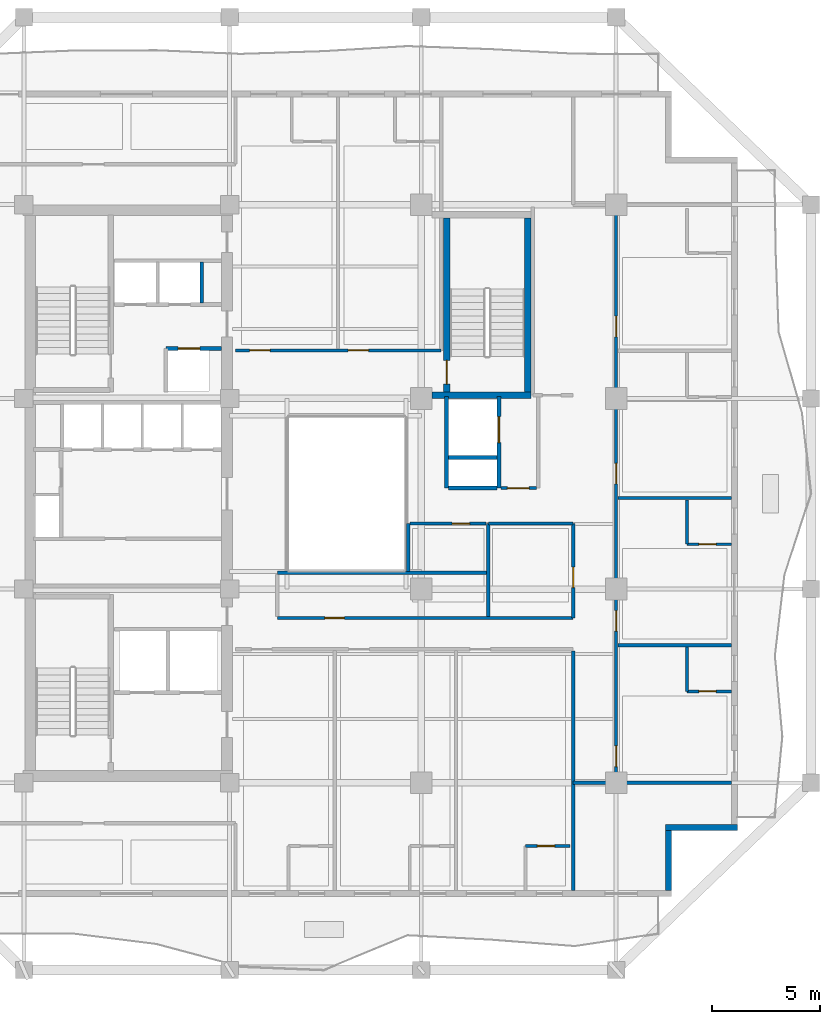
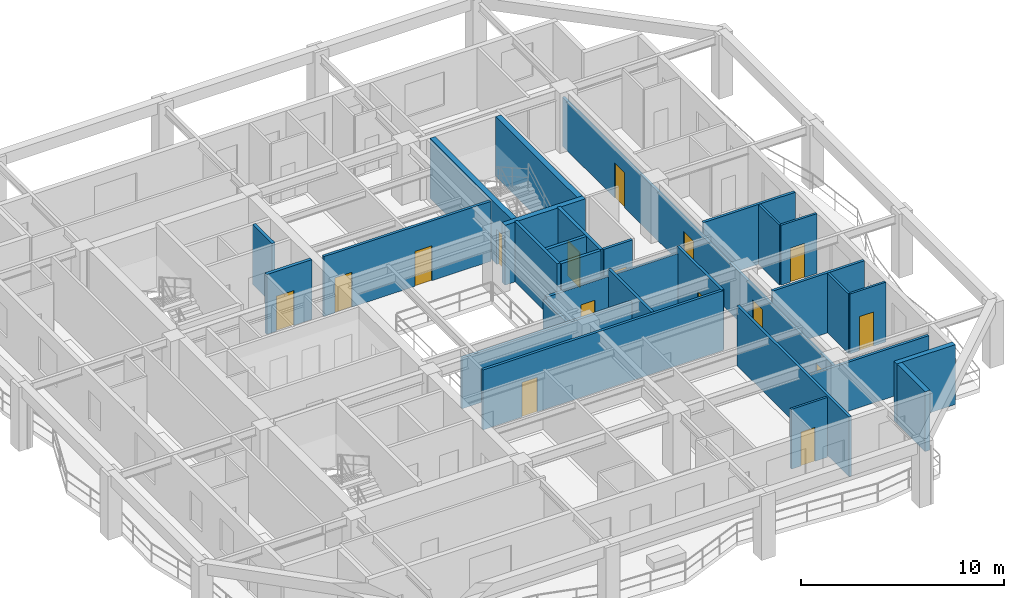
# One storey, part 5 of 11: 30 walls, 16 doors, 16 openings.
"""IFC4 building model written with IfcOpenShell, lengths in metres."""

from ifc_helpers import new_model, si_unit, direction, frame, frame_2d, origin, place, context, subcontext, project, spatial, rectangle, extrude, material, layer, layer_set, type_object, element, fill, save


model = new_model("IFC4")

# Units and contexts
model_context = context("Model", 3, precision=1e-05, world=origin(), true_north=direction((0.0, 1.0)))
body_context = subcontext(model_context, "Body", "Model", "MODEL_VIEW")
ifc_project = project(units=[si_unit("LENGTHUNIT", "METRE"), si_unit("AREAUNIT", "SQUARE_METRE"), si_unit("VOLUMEUNIT", "CUBIC_METRE"), si_unit("PLANEANGLEUNIT", "RADIAN"), si_unit("MASSUNIT", "GRAM", prefix="KILO")], contexts=[model_context])

# Site, building, storey
site_placement = place(None, origin())
site = spatial("IfcSite", under=ifc_project, at=site_placement, CompositionType="ELEMENT")
building_placement = place(site_placement, origin())
building = spatial("IfcBuilding", under=site, at=building_placement, Name="Kundavana Baori Tower", CompositionType="ELEMENT")
storey_placement = place(building_placement, frame((0.0, 0.0, 127.10009765625)))
storey = spatial("IfcBuildingStorey", under=building, at=storey_placement, Name="L30", CompositionType="ELEMENT", Elevation=127.10009765625)

# Walls
ifc_material_1 = material(Name="Red-Buff Dholpur Sandstone Cladding on Concrete C40/50", Category="masonry")
ifc_layer_1 = layer(ifc_material_1, 0.280029296875, Name="WL-EXT-SAND-280")
ifc_layer_set_1 = layer_set([ifc_layer_1], Name="Red-Buff Dholpur Sandstone Cladding on Concrete C40/50")
wall_type_1 = type_object("IfcWallType", Name="WL-EXT-SAND-280", PredefinedType="STANDARD", material=ifc_layer_set_1)
wall_1_placement = place(storey_placement, frame((45.2099609375, 10.280029296875, 0.0), z_axis=(0.0, 0.0, 1.0), x_axis=(0.0, 1.0, 0.0)))
element("IfcWall", 1, at=wall_1_placement, inside=storey, type_object=wall_type_1, Name="L30 Exterior Insulated Facade Wall 02", PredefinedType="STANDARD", context=body_context, shape_type="SweptSolid", body=[
    extrude(rectangle(XDim=2.77001953125, YDim=0.280029296875, at=frame_2d((1.385009765625, 0.0))), origin(), (0.0, 0.0, 1.0), 3.599853515625),
])
wall_2_placement = place(storey_placement, frame((45.070068359375, 13.18994140625, 0.0), z_axis=(0.0, 0.0, 1.0), x_axis=(1.0, 0.0, 0.0)))
element("IfcWall", 2, at=wall_2_placement, inside=storey, type_object=wall_type_1, Name="L30 Exterior Insulated Facade Wall 03", PredefinedType="STANDARD", context=body_context, shape_type="SweptSolid", body=[
    extrude(rectangle(XDim=3.329833984375, YDim=0.280029296875, at=frame_2d((1.6650390625, 0.0))), origin(), (0.0, 0.0, 1.0), 3.599853515625),
])

# Wall, opening, door
ifc_material_2 = material(Name="Fire-Rated Gypsum Drywall on Galvanised Steel Studs", Category="steel")
ifc_layer_2 = layer(ifc_material_2, 0.14990234375, Name="WL-PART-150")
ifc_layer_set_2 = layer_set([ifc_layer_2], Name="Fire-Rated Gypsum Drywall on Galvanised Steel Studs")
wall_type_2 = type_object("IfcWallType", Name="WL-PART-150", PredefinedType="PARTITIONING", material=ifc_layer_set_2)
wall_3_placement = place(storey_placement, frame((37.47998046875, 28.860107421875, 0.0), z_axis=(0.0, 0.0, 1.0), x_axis=(1.0, 0.0, 0.0)))
wall_3 = element("IfcWall", 3, at=wall_3_placement, inside=storey, type_object=wall_type_2, Name="WL-L30-SVLOB-S", PredefinedType="PARTITIONING", context=body_context, shape_type="SweptSolid", body=[
    extrude(rectangle(XDim=1.64013671875, YDim=0.14990234375, at=frame_2d((0.820068359375, 0.0))), origin(), (0.0, 0.0, 1.0), 3.599853515625),
])
opening_1_placement = place(wall_3_placement, frame((0.300048828125, 0.0, 0.0)))
opening_1 = element("IfcOpeningElement", 4, at=opening_1_placement, cuts=wall_3, Name="Opening FD-100", PredefinedType="OPENING", context=body_context, shape_type="SweptSolid", body=[
    extrude(rectangle(XDim=1.0, YDim=2.10009765625, at=frame_2d((0.5, 1.050048828125))), frame((0.0, 0.0849609375, 0.0), z_axis=(0.0, -1.0, 0.0), x_axis=(1.0, 0.0, 0.0)), (0.0, 0.0, 1.0), 0.169921875),
])
ifc_material_3 = material(Name="Engineered Teak Fire-Rated Timber Door Leaf", Category="wood")
door_type_1 = type_object("IfcDoorType", Name="DR-FD60-1000", OperationType="NOTDEFINED", PredefinedType="DOOR", material=ifc_material_3)
door_1_placement = place(opening_1_placement, origin())
door_1 = element("IfcDoor", 5, at=door_1_placement, inside=storey, type_object=door_type_1, Name="DR-L30-SVLOB-OUT", OperationType="SINGLE_SWING_LEFT", OverallHeight=2.10009765625, OverallWidth=1.0, PredefinedType="DOOR", context=body_context, shape_type="SweptSolid", body=[
    extrude(rectangle(XDim=1.0, YDim=2.10009765625, at=frame_2d((0.5, 1.050048828125))), frame((0.0, 0.02490234375, 0.0), z_axis=(0.0, -1.0, 0.0), x_axis=(1.0, 0.0, 0.0)), (0.0, 0.0, 1.0), 0.050048828125),
])
fill(opening_1, door_1)

wall_4_placement = place(storey_placement, frame((27.14990234375, 22.860107421875, 0.0), z_axis=(0.0, 0.0, 1.0), x_axis=(1.0, 0.0, 0.0)))
wall_4 = element("IfcWall", 6, at=wall_4_placement, inside=storey, type_object=wall_type_2, Name="WL-L30-HST", PredefinedType="PARTITIONING", context=body_context, shape_type="SweptSolid", body=[
    extrude(rectangle(XDim=13.670166015625, YDim=0.14990234375, at=frame_2d((6.8349609375, 0.0))), origin(), (0.0, 0.0, 1.0), 3.599853515625),
])
opening_2_placement = place(wall_4_placement, frame((2.199951171875, 0.0, 0.0)))
opening_2 = element("IfcOpeningElement", 7, at=opening_2_placement, cuts=wall_4, Name="Opening ID-090", PredefinedType="OPENING", context=body_context, shape_type="SweptSolid", body=[
    extrude(rectangle(XDim=0.89990234375, YDim=2.080078125, at=frame_2d((0.449951171875, 1.0400390625))), frame((0.0, 0.0849609375, 0.0), z_axis=(0.0, -1.0, 0.0), x_axis=(1.0, 0.0, 0.0)), (0.0, 0.0, 1.0), 0.169921875),
])
ifc_material_4 = material(Name="Engineered Teak Solid-Core Timber Veneer", Category="wood")
door_type_2 = type_object("IfcDoorType", Name="DR-INT-900", OperationType="NOTDEFINED", PredefinedType="DOOR", material=ifc_material_4)
door_2_placement = place(opening_2_placement, origin())
door_2 = element("IfcDoor", 8, at=door_2_placement, inside=storey, type_object=door_type_2, Name="DR-L30-HPNT", OperationType="SINGLE_SWING_LEFT", OverallHeight=2.080078125, OverallWidth=0.89990234375, PredefinedType="DOOR", context=body_context, shape_type="SweptSolid", body=[
    extrude(rectangle(XDim=0.89990234375, YDim=2.080078125, at=frame_2d((0.449951171875, 1.0400390625))), frame((0.0, 0.02490234375, 0.0), z_axis=(0.0, -1.0, 0.0), x_axis=(1.0, 0.0, 0.0)), (0.0, 0.0, 1.0), 0.050048828125),
])
fill(opening_2, door_2)

# Wall, openings, doors
wall_5_placement = place(storey_placement, frame((25.219970703125, 35.219970703125, 0.0), z_axis=(0.0, 0.0, 1.0), x_axis=(1.0, 0.0, 0.0)))
wall_5 = element("IfcWall", 9, at=wall_5_placement, inside=storey, type_object=wall_type_2, Name="WL-L30-HN", PredefinedType="PARTITIONING", context=body_context, shape_type="SweptSolid", body=[
    extrude(rectangle(XDim=9.5, YDim=0.14990234375, at=frame_2d((4.75, 0.0))), origin(), (0.0, 0.0, 1.0), 3.599853515625),
])
opening_3_placement = place(wall_5_placement, frame((0.64990234375, 0.0, 0.0)))
opening_3 = element("IfcOpeningElement", 10, at=opening_3_placement, cuts=wall_5, Name="Opening FD-095", PredefinedType="OPENING", context=body_context, shape_type="SweptSolid", body=[
    extrude(rectangle(XDim=0.949951171875, YDim=2.10009765625, at=frame_2d((0.47509765625, 1.050048828125))), frame((0.0, 0.0849609375, 0.0), z_axis=(0.0, -1.0, 0.0), x_axis=(1.0, 0.0, 0.0)), (0.0, 0.0, 1.0), 0.169921875),
])
opening_4_placement = place(wall_5_placement, frame((5.199951171875, 0.0, 0.0)))
opening_4 = element("IfcOpeningElement", 11, at=opening_4_placement, cuts=wall_5, Name="Opening FD-095", PredefinedType="OPENING", context=body_context, shape_type="SweptSolid", body=[
    extrude(rectangle(XDim=0.949951171875, YDim=2.10009765625, at=frame_2d((0.47509765625, 1.050048828125))), frame((0.0, 0.0849609375, 0.0), z_axis=(0.0, -1.0, 0.0), x_axis=(1.0, 0.0, 0.0)), (0.0, 0.0, 1.0), 0.169921875),
])
ifc_material_5 = material(Name="Engineered Teak Fire-Rated Timber Door Leaf", Category="wood")
door_type_3 = type_object("IfcDoorType", Name="DR-FD60-950", OperationType="NOTDEFINED", PredefinedType="DOOR", material=ifc_material_5)
door_3_placement = place(opening_3_placement, origin())
door_3 = element("IfcDoor", 12, at=door_3_placement, inside=storey, type_object=door_type_3, Name="DR-L30-HK-N1-ENT", OperationType="SINGLE_SWING_LEFT", OverallHeight=2.10009765625, OverallWidth=0.949951171875, PredefinedType="DOOR", context=body_context, shape_type="SweptSolid", body=[
    extrude(rectangle(XDim=0.949951171875, YDim=2.10009765625, at=frame_2d((0.47509765625, 1.050048828125))), frame((0.0, 0.02490234375, 0.0), z_axis=(0.0, -1.0, 0.0), x_axis=(1.0, 0.0, 0.0)), (0.0, 0.0, 1.0), 0.050048828125),
])
fill(opening_3, door_3)
door_4_placement = place(opening_4_placement, origin())
door_4 = element("IfcDoor", 13, at=door_4_placement, inside=storey, type_object=door_type_3, Name="DR-L30-HK-N2-ENT", OperationType="SINGLE_SWING_RIGHT", OverallHeight=2.10009765625, OverallWidth=0.949951171875, PredefinedType="DOOR", context=body_context, shape_type="SweptSolid", body=[
    extrude(rectangle(XDim=0.949951171875, YDim=2.10009765625, at=frame_2d((0.47509765625, 1.050048828125))), frame((0.0, 0.02490234375, 0.0), z_axis=(0.0, -1.0, 0.0), x_axis=(1.0, 0.0, 0.0)), (0.0, 0.0, 1.0), 0.050048828125),
])
fill(opening_4, door_4)

wall_6_placement = place(storey_placement, frame((42.800048828125, 15.25, 0.0), z_axis=(0.0, 0.0, 1.0), x_axis=(0.0, 1.0, 0.0)))
wall_6 = element("IfcWall", 14, at=wall_6_placement, inside=storey, type_object=wall_type_2, Name="WL-L30-HE", PredefinedType="PARTITIONING", context=body_context, shape_type="SweptSolid", body=[
    extrude(rectangle(XDim=26.699951171875, YDim=0.14990234375, at=frame_2d((13.35009765625, 0.0))), origin(), (0.0, 0.0, 1.0), 2.949951171875),
])
opening_5_placement = place(wall_6_placement, frame((0.75, 0.0, 0.0)))
opening_5 = element("IfcOpeningElement", 15, at=opening_5_placement, cuts=wall_6, Name="Opening FD-095", PredefinedType="OPENING", context=body_context, shape_type="SweptSolid", body=[
    extrude(rectangle(XDim=0.949951171875, YDim=2.10009765625, at=frame_2d((0.47509765625, 1.050048828125))), frame((0.0, 0.0849609375, 0.0), z_axis=(0.0, -1.0, 0.0), x_axis=(1.0, 0.0, 0.0)), (0.0, 0.0, 1.0), 0.169921875),
])
opening_6_placement = place(wall_6_placement, frame((7.0, 0.0, 0.0)))
opening_6 = element("IfcOpeningElement", 16, at=opening_6_placement, cuts=wall_6, Name="Opening FD-095", PredefinedType="OPENING", context=body_context, shape_type="SweptSolid", body=[
    extrude(rectangle(XDim=0.949951171875, YDim=2.10009765625, at=frame_2d((0.47509765625, 1.050048828125))), frame((0.0, 0.0849609375, 0.0), z_axis=(0.0, -1.0, 0.0), x_axis=(1.0, 0.0, 0.0)), (0.0, 0.0, 1.0), 0.169921875),
])
opening_7_placement = place(wall_6_placement, frame((13.800048828125, 0.0, 0.0)))
opening_7 = element("IfcOpeningElement", 17, at=opening_7_placement, cuts=wall_6, Name="Opening FD-095", PredefinedType="OPENING", context=body_context, shape_type="SweptSolid", body=[
    extrude(rectangle(XDim=0.949951171875, YDim=2.10009765625, at=frame_2d((0.47509765625, 1.050048828125))), frame((0.0, 0.0849609375, 0.0), z_axis=(0.0, -1.0, 0.0), x_axis=(1.0, 0.0, 0.0)), (0.0, 0.0, 1.0), 0.169921875),
])
opening_8_placement = place(wall_6_placement, frame((20.60009765625, 0.0, 0.0)))
opening_8 = element("IfcOpeningElement", 18, at=opening_8_placement, cuts=wall_6, Name="Opening FD-095", PredefinedType="OPENING", context=body_context, shape_type="SweptSolid", body=[
    extrude(rectangle(XDim=0.949951171875, YDim=2.10009765625, at=frame_2d((0.47509765625, 1.050048828125))), frame((0.0, 0.0849609375, 0.0), z_axis=(0.0, -1.0, 0.0), x_axis=(1.0, 0.0, 0.0)), (0.0, 0.0, 1.0), 0.169921875),
])
door_5_placement = place(opening_5_placement, origin())
door_5 = element("IfcDoor", 19, at=door_5_placement, inside=storey, type_object=door_type_3, Name="DR-L30-HK-E1-ENT", OperationType="SINGLE_SWING_LEFT", OverallHeight=2.10009765625, OverallWidth=0.949951171875, PredefinedType="DOOR", context=body_context, shape_type="SweptSolid", body=[
    extrude(rectangle(XDim=0.949951171875, YDim=2.10009765625, at=frame_2d((0.47509765625, 1.050048828125))), frame((0.0, 0.02490234375, 0.0), z_axis=(0.0, -1.0, 0.0), x_axis=(1.0, 0.0, 0.0)), (0.0, 0.0, 1.0), 0.050048828125),
])
fill(opening_5, door_5)
door_6_placement = place(opening_6_placement, origin())
door_6 = element("IfcDoor", 20, at=door_6_placement, inside=storey, type_object=door_type_3, Name="DR-L30-HK-E2-ENT", OperationType="SINGLE_SWING_LEFT", OverallHeight=2.10009765625, OverallWidth=0.949951171875, PredefinedType="DOOR", context=body_context, shape_type="SweptSolid", body=[
    extrude(rectangle(XDim=0.949951171875, YDim=2.10009765625, at=frame_2d((0.47509765625, 1.050048828125))), frame((0.0, 0.02490234375, 0.0), z_axis=(0.0, -1.0, 0.0), x_axis=(1.0, 0.0, 0.0)), (0.0, 0.0, 1.0), 0.050048828125),
])
fill(opening_6, door_6)
door_7_placement = place(opening_7_placement, origin())
door_7 = element("IfcDoor", 21, at=door_7_placement, inside=storey, type_object=door_type_3, Name="DR-L30-HK-E3-ENT", OperationType="SINGLE_SWING_LEFT", OverallHeight=2.10009765625, OverallWidth=0.949951171875, PredefinedType="DOOR", context=body_context, shape_type="SweptSolid", body=[
    extrude(rectangle(XDim=0.949951171875, YDim=2.10009765625, at=frame_2d((0.47509765625, 1.050048828125))), frame((0.0, 0.02490234375, 0.0), z_axis=(0.0, -1.0, 0.0), x_axis=(1.0, 0.0, 0.0)), (0.0, 0.0, 1.0), 0.050048828125),
])
fill(opening_7, door_7)
door_8_placement = place(opening_8_placement, origin())
door_8 = element("IfcDoor", 22, at=door_8_placement, inside=storey, type_object=door_type_3, Name="DR-L30-HK-E4-ENT", OperationType="SINGLE_SWING_LEFT", OverallHeight=2.10009765625, OverallWidth=0.949951171875, PredefinedType="DOOR", context=body_context, shape_type="SweptSolid", body=[
    extrude(rectangle(XDim=0.949951171875, YDim=2.10009765625, at=frame_2d((0.47509765625, 1.050048828125))), frame((0.0, 0.02490234375, 0.0), z_axis=(0.0, -1.0, 0.0), x_axis=(1.0, 0.0, 0.0)), (0.0, 0.0, 1.0), 0.050048828125),
])
fill(opening_8, door_8)

# Wall
wall_7_placement = place(storey_placement, frame((40.820068359375, 15.25, 0.0), z_axis=(0.0, 0.0, 1.0), x_axis=(1.0, 0.0, 0.0)))
element("IfcWall", 23, at=wall_7_placement, inside=storey, type_object=wall_type_2, Name="WL-L30-HES", PredefinedType="PARTITIONING", context=body_context, shape_type="SweptSolid", body=[
    extrude(rectangle(XDim=7.300048828125, YDim=0.14990234375, at=frame_2d((3.64990234375, 0.0))), origin(), (0.0, 0.0, 1.0), 2.949951171875),
])

# Wall, opening, door
wall_8_placement = place(storey_placement, frame((40.820068359375, 22.860107421875, 0.0), z_axis=(0.0, 0.0, 1.0), x_axis=(0.0, 1.0, 0.0)))
wall_8 = element("IfcWall", 24, at=wall_8_placement, inside=storey, type_object=wall_type_2, Name="WL-L30-HEW", PredefinedType="PARTITIONING", context=body_context, shape_type="SweptSolid", body=[
    extrude(rectangle(XDim=4.35986328125, YDim=0.14990234375, at=frame_2d((2.179931640625, 0.0))), origin(), (0.0, 0.0, 1.0), 3.599853515625),
])
opening_9_placement = place(wall_8_placement, frame((1.39990234375, 0.0, 0.0)))
opening_9 = element("IfcOpeningElement", 25, at=opening_9_placement, cuts=wall_8, Name="Opening FD-095", PredefinedType="OPENING", context=body_context, shape_type="SweptSolid", body=[
    extrude(rectangle(XDim=0.949951171875, YDim=2.10009765625, at=frame_2d((0.47509765625, 1.050048828125))), frame((0.0, 0.0849609375, 0.0), z_axis=(0.0, -1.0, 0.0), x_axis=(1.0, 0.0, 0.0)), (0.0, 0.0, 1.0), 0.169921875),
])
door_9_placement = place(opening_9_placement, frame((0.949951171875, 0.0, 0.0), z_axis=(0.0, 0.0, 1.0), x_axis=(-1.0, 0.0, 0.0)))
door_9 = element("IfcDoor", 26, at=door_9_placement, inside=storey, type_object=door_type_3, Name="DR-L30-HSK", OperationType="SINGLE_SWING_RIGHT", OverallHeight=2.10009765625, OverallWidth=0.949951171875, PredefinedType="DOOR", context=body_context, shape_type="SweptSolid", body=[
    extrude(rectangle(XDim=0.949951171875, YDim=2.10009765625, at=frame_2d((0.47509765625, 1.050048828125))), frame((0.0, 0.02490234375, 0.0), z_axis=(0.0, -1.0, 0.0), x_axis=(1.0, 0.0, 0.0)), (0.0, 0.0, 1.0), 0.050048828125),
])
fill(opening_9, door_9)

# Walls
wall_9_placement = place(storey_placement, frame((36.89990234375, 27.219970703125, 0.0), z_axis=(0.0, 0.0, 1.0), x_axis=(1.0, 0.0, 0.0)))
element("IfcWall", 27, at=wall_9_placement, inside=storey, type_object=wall_type_2, Name="WL-L30-HKN", PredefinedType="PARTITIONING", context=body_context, shape_type="SweptSolid", body=[
    extrude(rectangle(XDim=3.920166015625, YDim=0.14990234375, at=frame_2d((1.9599609375, 0.0))), origin(), (0.0, 0.0, 1.0), 3.199951171875),
])
wall_10_placement = place(storey_placement, frame((36.89990234375, 22.93994140625, 0.0), z_axis=(0.0, 0.0, 1.0), x_axis=(0.0, 1.0, 0.0)))
element("IfcWall", 28, at=wall_10_placement, inside=storey, type_object=wall_type_2, Name="WL-L30-HKD", PredefinedType="PARTITIONING", context=body_context, shape_type="SweptSolid", body=[
    extrude(rectangle(XDim=4.280029296875, YDim=0.14990234375, at=frame_2d((2.14013671875, 0.0))), origin(), (0.0, 0.0, 1.0), 3.599853515625),
])
wall_11_placement = place(storey_placement, frame((27.14990234375, 24.949951171875, 0.0), z_axis=(0.0, 0.0, 1.0), x_axis=(1.0, 0.0, 0.0)))
element("IfcWall", 29, at=wall_11_placement, inside=storey, type_object=wall_type_2, Name="WL-L30-HPN1", PredefinedType="PARTITIONING", context=body_context, shape_type="SweptSolid", body=[
    extrude(rectangle(XDim=9.670166015625, YDim=0.14990234375, at=frame_2d((4.8349609375, 0.0))), origin(), (0.0, 0.0, 1.0), 3.0498046875),
])
wall_12_placement = place(storey_placement, frame((33.199951171875, 25.02001953125, 0.0), z_axis=(0.0, 0.0, 1.0), x_axis=(0.0, 1.0, 0.0)))
element("IfcWall", 30, at=wall_12_placement, inside=storey, type_object=wall_type_2, Name="WL-L30-HASW", PredefinedType="PARTITIONING", context=body_context, shape_type="SweptSolid", body=[
    extrude(rectangle(XDim=2.199951171875, YDim=0.14990234375, at=frame_2d((1.10009765625, 0.0))), origin(), (0.0, 0.0, 1.0), 3.0498046875),
])

# Wall, opening, door
wall_13_placement = place(storey_placement, frame((33.280029296875, 27.219970703125, 0.0), z_axis=(0.0, 0.0, 1.0), x_axis=(1.0, 0.0, 0.0)))
wall_13 = element("IfcWall", 31, at=wall_13_placement, inside=storey, type_object=wall_type_2, Name="WL-L30-HASN", PredefinedType="PARTITIONING", context=body_context, shape_type="SweptSolid", body=[
    extrude(rectangle(XDim=3.52001953125, YDim=0.14990234375, at=frame_2d((1.760009765625, 0.0))), origin(), (0.0, 0.0, 1.0), 3.199951171875),
])
opening_10_placement = place(wall_13_placement, frame((1.949951171875, 0.0, 0.0)))
opening_10 = element("IfcOpeningElement", 32, at=opening_10_placement, cuts=wall_13, Name="Opening WD-080", PredefinedType="OPENING", context=body_context, shape_type="SweptSolid", body=[
    extrude(rectangle(XDim=0.800048828125, YDim=2.050048828125, at=frame_2d((0.39990234375, 1.02490234375))), frame((0.0, 0.0849609375, 0.0), z_axis=(0.0, -1.0, 0.0), x_axis=(1.0, 0.0, 0.0)), (0.0, 0.0, 1.0), 0.169921875),
])
ifc_material_6 = material(Name="Engineered Teak Solid-Core Timber Veneer", Category="wood")
door_type_4 = type_object("IfcDoorType", Name="DR-WET-800", OperationType="NOTDEFINED", PredefinedType="DOOR", material=ifc_material_6)
door_10_placement = place(opening_10_placement, frame((0.800048828125, 0.0, 0.0), z_axis=(0.0, 0.0, 1.0), x_axis=(-1.0, 0.0, 0.0)))
door_10 = element("IfcDoor", 33, at=door_10_placement, inside=storey, type_object=door_type_4, Name="DR-L30-HLAS", OperationType="SINGLE_SWING_LEFT", OverallHeight=2.050048828125, OverallWidth=0.800048828125, PredefinedType="DOOR", context=body_context, shape_type="SweptSolid", body=[
    extrude(rectangle(XDim=0.800048828125, YDim=2.050048828125, at=frame_2d((0.39990234375, 1.02490234375))), frame((0.0, 0.02490234375, 0.0), z_axis=(0.0, -1.0, 0.0), x_axis=(1.0, 0.0, 0.0)), (0.0, 0.0, 1.0), 0.050048828125),
])
fill(opening_10, door_10)

# Walls
wall_14_placement = place(storey_placement, frame((40.820068359375, 10.280029296875, 0.0), z_axis=(0.0, 0.0, 1.0), x_axis=(0.0, 1.0, 0.0)))
element("IfcWall", 34, at=wall_14_placement, inside=storey, type_object=wall_type_2, Name="WL-L30-HSEND", PredefinedType="PARTITIONING", context=body_context, shape_type="SweptSolid", body=[
    extrude(rectangle(XDim=11.06005859375, YDim=0.14990234375, at=frame_2d((5.530029296875, 0.0))), origin(), (0.0, 0.0, 1.0), 3.599853515625),
])
for number, where, z_axis, x_axis, name in (
    (35, (42.8798828125, 21.60009765625, 0.0), (0.0, 0.0, 1.0), (1.0, 0.0, 0.0), "WL-L30-HED1"),
    (36, (42.8798828125, 28.39990234375, 0.0), (0.0, 0.0, 1.0), (1.0, 0.0, 0.0), "WL-L30-HED2"),
):
    element("IfcWall", number, at=place(storey_placement, frame(where, z_axis=z_axis, x_axis=x_axis)), inside=storey, type_object=wall_type_2, Name=name, PredefinedType="PARTITIONING", context=body_context, shape_type="SweptSolid", body=[
        extrude(rectangle(XDim=5.240234375, YDim=0.14990234375, at=frame_2d((2.6201171875, 0.0))), origin(), (0.0, 0.0, 1.0), 3.599853515625),
    ])

# Wall, opening, door
ifc_material_7 = material(Name="Autoclaved Aerated Concrete Blockwork Masonry", Category="masonry")
ifc_layer_3 = layer(ifc_material_7, 0.179931640625, Name="WL-SHAFT-180")
ifc_layer_set_3 = layer_set([ifc_layer_3], Name="Autoclaved Aerated Concrete Blockwork Masonry")
wall_type_3 = type_object("IfcWallType", Name="WL-SHAFT-180", PredefinedType="SOLIDWALL", material=ifc_layer_set_3)
wall_15_placement = place(storey_placement, frame((22.02001953125, 35.31005859375, 0.0), z_axis=(0.0, 0.0, 1.0), x_axis=(1.0, 0.0, 0.0)))
wall_15 = element("IfcWall", 37, at=wall_15_placement, inside=storey, type_object=wall_type_3, Name="WL-L30-LP11-N", PredefinedType="SOLIDWALL", context=body_context, shape_type="SweptSolid", body=[
    extrude(rectangle(XDim=2.56005859375, YDim=0.179931640625, at=frame_2d((1.280029296875, 0.0))), origin(), (0.0, 0.0, 1.0), 3.599853515625),
])
opening_11_placement = place(wall_15_placement, frame((0.550048828125, 0.0, 0.0)))
opening_11 = element("IfcOpeningElement", 38, at=opening_11_placement, cuts=wall_15, Name="Opening LD-100", PredefinedType="OPENING", context=body_context, shape_type="SweptSolid", body=[
    extrude(rectangle(XDim=1.0, YDim=2.10009765625, at=frame_2d((0.5, 1.050048828125))), frame((0.0, 0.10009765625, 0.0), z_axis=(0.0, -1.0, 0.0), x_axis=(1.0, 0.0, 0.0)), (0.0, 0.0, 1.0), 0.199951171875),
])
ifc_material_8 = material(Name="Galvanised Steel Fire-Rated Door Leaf", Category="steel")
door_type_5 = type_object("IfcDoorType", Name="DR-SLIDE-LD1000", OperationType="NOTDEFINED", PredefinedType="DOOR", material=ifc_material_8)
door_11_placement = place(opening_11_placement, origin())
door_11 = element("IfcDoor", 39, at=door_11_placement, inside=storey, type_object=door_type_5, Name="DR-L30-LD-LP11", OperationType="DOUBLE_DOOR_SLIDING", OverallHeight=2.10009765625, OverallWidth=1.0, PredefinedType="DOOR", context=body_context, shape_type="SweptSolid", body=[
    extrude(rectangle(XDim=1.0, YDim=2.10009765625, at=frame_2d((0.5, 1.050048828125))), frame((0.0, 0.02490234375, 0.0), z_axis=(0.0, -1.0, 0.0), x_axis=(1.0, 0.0, 0.0)), (0.0, 0.0, 1.0), 0.050048828125),
])
fill(opening_11, door_11)

# Walls
wall_16_placement = place(storey_placement, frame((23.659912109375, 37.39990234375, 0.0), z_axis=(0.0, 0.0, 1.0), x_axis=(0.0, 1.0, 0.0)))
element("IfcWall", 40, at=wall_16_placement, inside=storey, type_object=wall_type_3, Name="WL-L30-HR-DIV2", PredefinedType="SOLIDWALL", context=body_context, shape_type="SweptSolid", body=[
    extrude(rectangle(XDim=1.900146484375, YDim=0.179931640625, at=frame_2d((0.9501953125, 0.0))), origin(), (0.0, 0.0, 1.0), 3.599853515625),
])
wall_17_placement = place(storey_placement, frame((34.9599609375, 28.860107421875, 0.0), z_axis=(0.0, 0.0, 1.0), x_axis=(0.0, 1.0, 0.0)))
element("IfcWall", 41, at=wall_17_placement, inside=storey, type_object=wall_type_3, Name="WL-L30-SVL-W", PredefinedType="SOLIDWALL", context=body_context, shape_type="SweptSolid", body=[
    extrude(rectangle(XDim=4.219970703125, YDim=0.179931640625, at=frame_2d((2.10986328125, 0.0))), origin(), (0.0, 0.0, 1.0), 3.599853515625),
])

# Wall, opening, door
wall_18_placement = place(storey_placement, frame((37.389892578125, 28.860107421875, 0.0), z_axis=(0.0, 0.0, 1.0), x_axis=(0.0, 1.0, 0.0)))
wall_18 = element("IfcWall", 42, at=wall_18_placement, inside=storey, type_object=wall_type_3, Name="WL-L30-SVL-E", PredefinedType="SOLIDWALL", context=body_context, shape_type="SweptSolid", body=[
    extrude(rectangle(XDim=4.219970703125, YDim=0.179931640625, at=frame_2d((2.10986328125, 0.0))), origin(), (0.0, 0.0, 1.0), 3.599853515625),
])
opening_12_placement = place(wall_18_placement, frame((2.10009765625, 0.0, 0.0)))
opening_12 = element("IfcOpeningElement", 43, at=opening_12_placement, cuts=wall_18, Name="Opening LD-120", PredefinedType="OPENING", context=body_context, shape_type="SweptSolid", body=[
    extrude(rectangle(XDim=1.199951171875, YDim=2.1201171875, at=frame_2d((0.60009765625, 1.06005859375))), frame((0.0, 0.10009765625, 0.0), z_axis=(0.0, -1.0, 0.0), x_axis=(1.0, 0.0, 0.0)), (0.0, 0.0, 1.0), 0.199951171875),
])
ifc_material_9 = material(Name="Galvanised Steel Fire-Rated Door Leaf", Category="steel")
door_type_6 = type_object("IfcDoorType", Name="DR-SLIDE-LD1200", OperationType="NOTDEFINED", PredefinedType="DOOR", material=ifc_material_9)
door_12_placement = place(opening_12_placement, frame((1.199951171875, 0.0, 0.0), z_axis=(0.0, 0.0, 1.0), x_axis=(-1.0, 0.0, 0.0)))
door_12 = element("IfcDoor", 44, at=door_12_placement, inside=storey, type_object=door_type_6, Name="DR-L30-LD-SVL1", OperationType="DOUBLE_DOOR_SLIDING", OverallHeight=2.1201171875, OverallWidth=1.199951171875, PredefinedType="DOOR", context=body_context, shape_type="SweptSolid", body=[
    extrude(rectangle(XDim=1.199951171875, YDim=2.1201171875, at=frame_2d((0.60009765625, 1.06005859375))), frame((0.0, 0.02490234375, 0.0), z_axis=(0.0, -1.0, 0.0), x_axis=(1.0, 0.0, 0.0)), (0.0, 0.0, 1.0), 0.050048828125),
])
fill(opening_12, door_12)

# Walls
for number, where, z_axis, x_axis, name in (
    (45, (35.050048828125, 28.860107421875, 0.0), (0.0, 0.0, 1.0), (1.0, 0.0, 0.0), "WL-L30-SVL-S"),
    (46, (35.050048828125, 30.27001953125, 0.0), (0.0, 0.0, 1.0), (1.0, 0.0, 0.0), "WL-L30-SVL-M"),
):
    element("IfcWall", number, at=place(storey_placement, frame(where, z_axis=z_axis, x_axis=x_axis)), inside=storey, type_object=wall_type_3, Name=name, PredefinedType="SOLIDWALL", context=body_context, shape_type="SweptSolid", body=[
        extrude(rectangle(XDim=2.25, YDim=0.179931640625, at=frame_2d((1.125, 0.0))), origin(), (0.0, 0.0, 1.0), 3.599853515625),
    ])
ifc_material_10 = material(Name="Concrete C50/60", Category="concrete")
ifc_layer_4 = layer(ifc_material_10, 0.300048828125, Name="WL-ST3-300")
ifc_layer_set_4 = layer_set([ifc_layer_4], Name="Concrete C50/60")
wall_type_4 = type_object("IfcWallType", Name="WL-ST3-300", PredefinedType="SHEAR", material=ifc_layer_set_4)
wall_19_placement = place(storey_placement, frame((34.300048828125, 33.159912109375, 0.0), z_axis=(0.0, 0.0, 1.0), x_axis=(1.0, 0.0, 0.0)))
element("IfcWall", 47, at=wall_19_placement, inside=storey, type_object=wall_type_4, Name="L30 Stair ST3 South Shear Wall", PredefinedType="SHEAR", context=body_context, shape_type="SweptSolid", body=[
    extrude(rectangle(XDim=4.570068359375, YDim=0.300048828125, at=frame_2d((2.28515625, 0.0))), origin(), (0.0, 0.0, 1.0), 3.599853515625),
])

# Wall, opening, door
wall_20_placement = place(storey_placement, frame((34.97998046875, 33.31005859375, 0.0), z_axis=(0.0, 0.0, 1.0), x_axis=(0.0, 1.0, 0.0)))
wall_20 = element("IfcWall", 48, at=wall_20_placement, inside=storey, type_object=wall_type_4, Name="L30 Stair ST3 West Shear Wall", PredefinedType="SHEAR", context=body_context, shape_type="SweptSolid", body=[
    extrude(rectangle(XDim=8.030029296875, YDim=0.300048828125, at=frame_2d((4.01513671875, 0.0))), origin(), (0.0, 0.0, 1.0), 3.599853515625),
])
opening_13_placement = place(wall_20_placement, frame((0.35009765625, 0.0, 0.0)))
opening_13 = element("IfcOpeningElement", 49, at=opening_13_placement, cuts=wall_20, Name="Opening FD-110", PredefinedType="OPENING", context=body_context, shape_type="SweptSolid", body=[
    extrude(rectangle(XDim=1.10009765625, YDim=2.10009765625, at=frame_2d((0.550048828125, 1.050048828125))), frame((0.0, 0.16015625, 0.0), z_axis=(0.0, -1.0, 0.0), x_axis=(1.0, 0.0, 0.0)), (0.0, 0.0, 1.0), 0.320068359375),
])
ifc_material_11 = material(Name="Galvanised Steel Fire-Rated Door Leaf", Category="steel")
door_type_7 = type_object("IfcDoorType", Name="DR-FD120-1100", OperationType="NOTDEFINED", PredefinedType="DOOR", material=ifc_material_11)
door_13_placement = place(opening_13_placement, origin())
door_13 = element("IfcDoor", 50, at=door_13_placement, inside=storey, type_object=door_type_7, Name="DR-L30-ST3-W", OperationType="SINGLE_SWING_LEFT", OverallHeight=2.10009765625, OverallWidth=1.10009765625, PredefinedType="DOOR", context=body_context, shape_type="SweptSolid", body=[
    extrude(rectangle(XDim=1.10009765625, YDim=2.10009765625, at=frame_2d((0.550048828125, 1.050048828125))), frame((0.0, 0.02490234375, 0.0), z_axis=(0.0, -1.0, 0.0), x_axis=(1.0, 0.0, 0.0)), (0.0, 0.0, 1.0), 0.050048828125),
])
fill(opening_13, door_13)

# Wall
wall_21_placement = place(storey_placement, frame((38.719970703125, 33.31005859375, 0.0), z_axis=(0.0, 0.0, 1.0), x_axis=(0.0, 1.0, 0.0)))
element("IfcWall", 51, at=wall_21_placement, inside=storey, type_object=wall_type_4, Name="L30 Stair ST3 East Shear Wall", PredefinedType="SHEAR", context=body_context, shape_type="SweptSolid", body=[
    extrude(rectangle(XDim=8.030029296875, YDim=0.300048828125, at=frame_2d((4.01513671875, 0.0))), origin(), (0.0, 0.0, 1.0), 3.599853515625),
])

# Wall, opening, door
ifc_material_12 = material(Name="Autoclaved Aerated Concrete Blockwork Masonry", Category="masonry")
ifc_layer_5 = layer(ifc_material_12, 0.125, Name="WL-WET-120")
ifc_layer_set_5 = layer_set([ifc_layer_5], Name="Autoclaved Aerated Concrete Blockwork Masonry")
wall_type_5 = type_object("IfcWallType", Name="WL-WET-120", PredefinedType="PLUMBINGWALL", material=ifc_layer_set_5)
wall_22_placement = place(storey_placement, frame((38.610107421875, 12.330078125, 0.0), z_axis=(0.0, 0.0, 1.0), x_axis=(1.0, 0.0, 0.0)))
wall_22 = element("IfcWall", 52, at=wall_22_placement, inside=storey, type_object=wall_type_5, Name="WL-L30-HK-S3-BN", PredefinedType="PLUMBINGWALL", context=body_context, shape_type="SweptSolid", body=[
    extrude(rectangle(XDim=2.0498046875, YDim=0.125, at=frame_2d((1.02490234375, 0.0))), origin(), (0.0, 0.0, 1.0), 3.599853515625),
])
opening_14_placement = place(wall_22_placement, frame((0.550048828125, 0.0, 0.0)))
opening_14 = element("IfcOpeningElement", 53, at=opening_14_placement, cuts=wall_22, Name="Opening WD-080", PredefinedType="OPENING", context=body_context, shape_type="SweptSolid", body=[
    extrude(rectangle(XDim=0.800048828125, YDim=2.050048828125, at=frame_2d((0.39990234375, 1.02490234375))), frame((0.0, 0.072509765625, 0.0), z_axis=(0.0, -1.0, 0.0), x_axis=(1.0, 0.0, 0.0)), (0.0, 0.0, 1.0), 0.14501953125),
])
door_14_placement = place(opening_14_placement, origin())
door_14 = element("IfcDoor", 54, at=door_14_placement, inside=storey, type_object=door_type_4, Name="DR-L30-HK-S3-ENS", OperationType="SINGLE_SWING_LEFT", OverallHeight=2.050048828125, OverallWidth=0.800048828125, PredefinedType="DOOR", context=body_context, shape_type="SweptSolid", body=[
    extrude(rectangle(XDim=0.800048828125, YDim=2.050048828125, at=frame_2d((0.39990234375, 1.02490234375))), frame((0.0, 0.02490234375, 0.0), z_axis=(0.0, -1.0, 0.0), x_axis=(1.0, 0.0, 0.0)), (0.0, 0.0, 1.0), 0.050048828125),
])
fill(opening_14, door_14)

# Wall
wall_23_placement = place(storey_placement, frame((46.070068359375, 19.469970703125, 0.0), z_axis=(0.0, 0.0, 1.0), x_axis=(0.0, 1.0, 0.0)))
element("IfcWall", 55, at=wall_23_placement, inside=storey, type_object=wall_type_5, Name="WL-L30-HK-E1-BW", PredefinedType="PLUMBINGWALL", context=body_context, shape_type="SweptSolid", body=[
    extrude(rectangle(XDim=2.050048828125, YDim=0.125, at=frame_2d((1.02490234375, 0.0))), origin(), (0.0, 0.0, 1.0), 3.599853515625),
])

# Wall, opening, door
wall_24_placement = place(storey_placement, frame((46.070068359375, 19.469970703125, 0.0), z_axis=(0.0, 0.0, 1.0), x_axis=(1.0, 0.0, 0.0)))
wall_24 = element("IfcWall", 56, at=wall_24_placement, inside=storey, type_object=wall_type_5, Name="WL-L30-HK-E1-BS", PredefinedType="PLUMBINGWALL", context=body_context, shape_type="SweptSolid", body=[
    extrude(rectangle(XDim=2.050048828125, YDim=0.125, at=frame_2d((1.02490234375, 0.0))), origin(), (0.0, 0.0, 1.0), 3.599853515625),
])
opening_15_placement = place(wall_24_placement, frame((0.550048828125, 0.0, 0.0)))
opening_15 = element("IfcOpeningElement", 57, at=opening_15_placement, cuts=wall_24, Name="Opening WD-080", PredefinedType="OPENING", context=body_context, shape_type="SweptSolid", body=[
    extrude(rectangle(XDim=0.800048828125, YDim=2.050048828125, at=frame_2d((0.39990234375, 1.02490234375))), frame((0.0, 0.072509765625, 0.0), z_axis=(0.0, -1.0, 0.0), x_axis=(1.0, 0.0, 0.0)), (0.0, 0.0, 1.0), 0.14501953125),
])
door_15_placement = place(opening_15_placement, frame((0.800048828125, 0.0, 0.0), z_axis=(0.0, 0.0, 1.0), x_axis=(-1.0, 0.0, 0.0)))
door_15 = element("IfcDoor", 58, at=door_15_placement, inside=storey, type_object=door_type_4, Name="DR-L30-HK-E1-ENS", OperationType="SINGLE_SWING_LEFT", OverallHeight=2.050048828125, OverallWidth=0.800048828125, PredefinedType="DOOR", context=body_context, shape_type="SweptSolid", body=[
    extrude(rectangle(XDim=0.800048828125, YDim=2.050048828125, at=frame_2d((0.39990234375, 1.02490234375))), frame((0.0, 0.02490234375, 0.0), z_axis=(0.0, -1.0, 0.0), x_axis=(1.0, 0.0, 0.0)), (0.0, 0.0, 1.0), 0.050048828125),
])
fill(opening_15, door_15)

# Wall
wall_25_placement = place(storey_placement, frame((46.070068359375, 26.27001953125, 0.0), z_axis=(0.0, 0.0, 1.0), x_axis=(0.0, 1.0, 0.0)))
element("IfcWall", 59, at=wall_25_placement, inside=storey, type_object=wall_type_5, Name="WL-L30-HK-E2-BW", PredefinedType="PLUMBINGWALL", context=body_context, shape_type="SweptSolid", body=[
    extrude(rectangle(XDim=2.050048828125, YDim=0.125, at=frame_2d((1.02490234375, 0.0))), origin(), (0.0, 0.0, 1.0), 3.599853515625),
])

# Wall, opening, door
wall_26_placement = place(storey_placement, frame((46.070068359375, 26.27001953125, 0.0), z_axis=(0.0, 0.0, 1.0), x_axis=(1.0, 0.0, 0.0)))
wall_26 = element("IfcWall", 60, at=wall_26_placement, inside=storey, type_object=wall_type_5, Name="WL-L30-HK-E2-BS", PredefinedType="PLUMBINGWALL", context=body_context, shape_type="SweptSolid", body=[
    extrude(rectangle(XDim=2.050048828125, YDim=0.125, at=frame_2d((1.02490234375, 0.0))), origin(), (0.0, 0.0, 1.0), 3.599853515625),
])
opening_16_placement = place(wall_26_placement, frame((0.550048828125, 0.0, 0.0)))
opening_16 = element("IfcOpeningElement", 61, at=opening_16_placement, cuts=wall_26, Name="Opening WD-080", PredefinedType="OPENING", context=body_context, shape_type="SweptSolid", body=[
    extrude(rectangle(XDim=0.800048828125, YDim=2.050048828125, at=frame_2d((0.39990234375, 1.02490234375))), frame((0.0, 0.072509765625, 0.0), z_axis=(0.0, -1.0, 0.0), x_axis=(1.0, 0.0, 0.0)), (0.0, 0.0, 1.0), 0.14501953125),
])
door_16_placement = place(opening_16_placement, frame((0.800048828125, 0.0, 0.0), z_axis=(0.0, 0.0, 1.0), x_axis=(-1.0, 0.0, 0.0)))
door_16 = element("IfcDoor", 62, at=door_16_placement, inside=storey, type_object=door_type_4, Name="DR-L30-HK-E2-ENS", OperationType="SINGLE_SWING_LEFT", OverallHeight=2.050048828125, OverallWidth=0.800048828125, PredefinedType="DOOR", context=body_context, shape_type="SweptSolid", body=[
    extrude(rectangle(XDim=0.800048828125, YDim=2.050048828125, at=frame_2d((0.39990234375, 1.02490234375))), frame((0.0, 0.02490234375, 0.0), z_axis=(0.0, -1.0, 0.0), x_axis=(1.0, 0.0, 0.0)), (0.0, 0.0, 1.0), 0.050048828125),
])
fill(opening_16, door_16)

save(model, "model.ifc")
